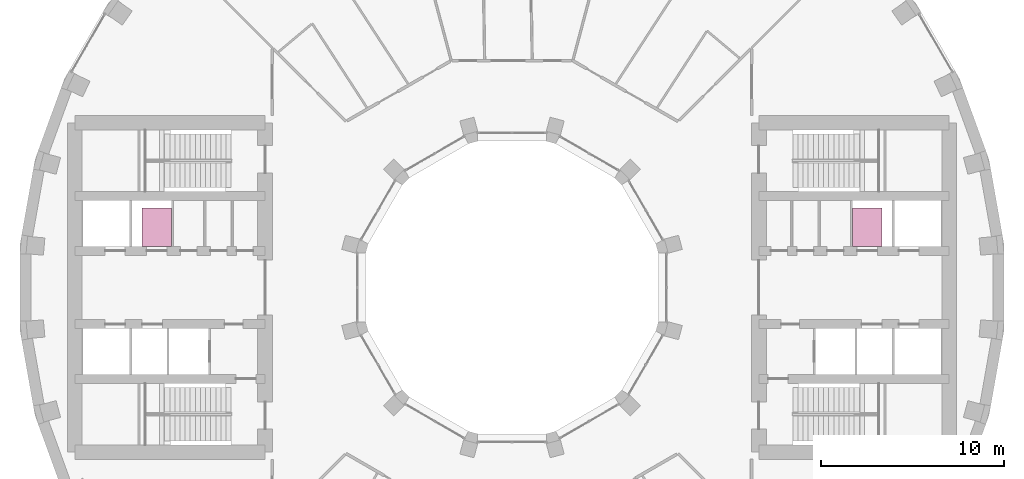
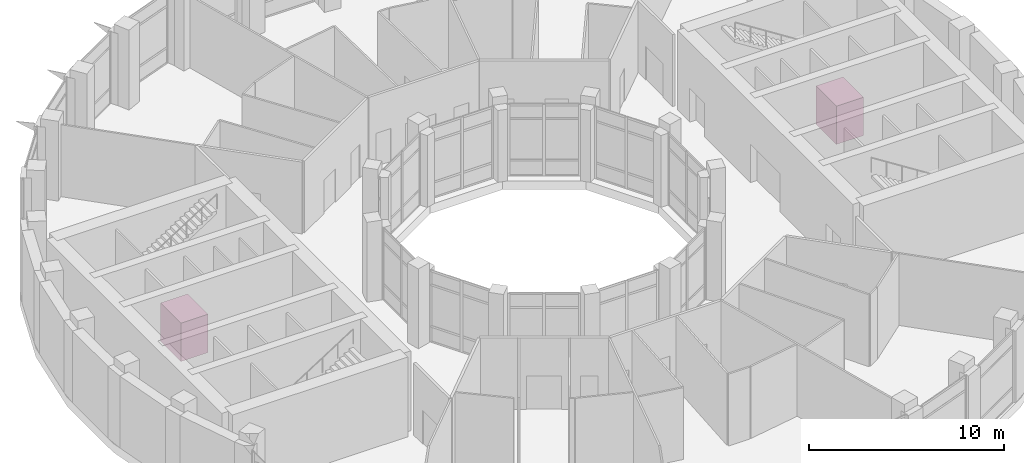
# One storey, part 18 of 18: 2 transport elements.
"""IFC4 building model written with IfcOpenShell, lengths in metres."""

from ifc_helpers import new_model, si_unit, direction, frame, origin, origin_2d, place, context, subcontext, project, spatial, rectangle, extrude, material, type_object, element, save


model = new_model("IFC4")

# Units and contexts
model_context = context("Model", 3, precision=1e-05, world=origin(), true_north=direction((0.0, 1.0)))
body_context = subcontext(model_context, "Body", "Model", "MODEL_VIEW")
ifc_project = project(units=[si_unit("LENGTHUNIT", "METRE"), si_unit("AREAUNIT", "SQUARE_METRE"), si_unit("VOLUMEUNIT", "CUBIC_METRE"), si_unit("PLANEANGLEUNIT", "RADIAN"), si_unit("MASSUNIT", "GRAM", prefix="KILO")], contexts=[model_context])

# Site, building, storey
site_placement = place(None, origin())
site = spatial("IfcSite", under=ifc_project, at=site_placement, CompositionType="ELEMENT")
building_placement = place(site_placement, origin())
building = spatial("IfcBuilding", under=site, at=building_placement, Name="Saqina Gate Tower", CompositionType="ELEMENT")
storey_placement = place(building_placement, frame((0.0, 0.0, 86.89990234375)))
storey = spatial("IfcBuildingStorey", under=building, at=storey_placement, Name="L24", CompositionType="ELEMENT", Elevation=86.89990234375)

# Transport elements
ifc_material = material(Name="Stainless steel", Category="steel")
transport_element_type = type_object("IfcTransportElementType", Name="PASSENGER LIFT", PredefinedType="ELEVATOR", material=ifc_material)
for number, where, z_axis, x_axis, name in (
    (1, (19.419921875, 3.300048828125, 0.000244140625), (0.0, 0.0, 1.0), (1.0, 0.0, 0.0), "PASSENGER LIFT MR1"),
    (2, (-19.419921875, 3.300048828125, 0.000244140625), (0.0, 0.0, 1.0), (1.0, 0.0, 0.0), "PASSENGER LIFT MR2"),
):
    element("IfcTransportElement", number, at=place(storey_placement, frame(where, z_axis=z_axis, x_axis=x_axis)), inside=storey, type_object=transport_element_type, Name=name, PredefinedType="ELEVATOR", context=body_context, shape_type="SweptSolid", body=[
        extrude(rectangle(XDim=1.60009765625, YDim=2.10009765625, at=origin_2d()), origin(), (0.0, 0.0, 1.0), 2.39990234375),
    ])

save(model, "model.ifc")
